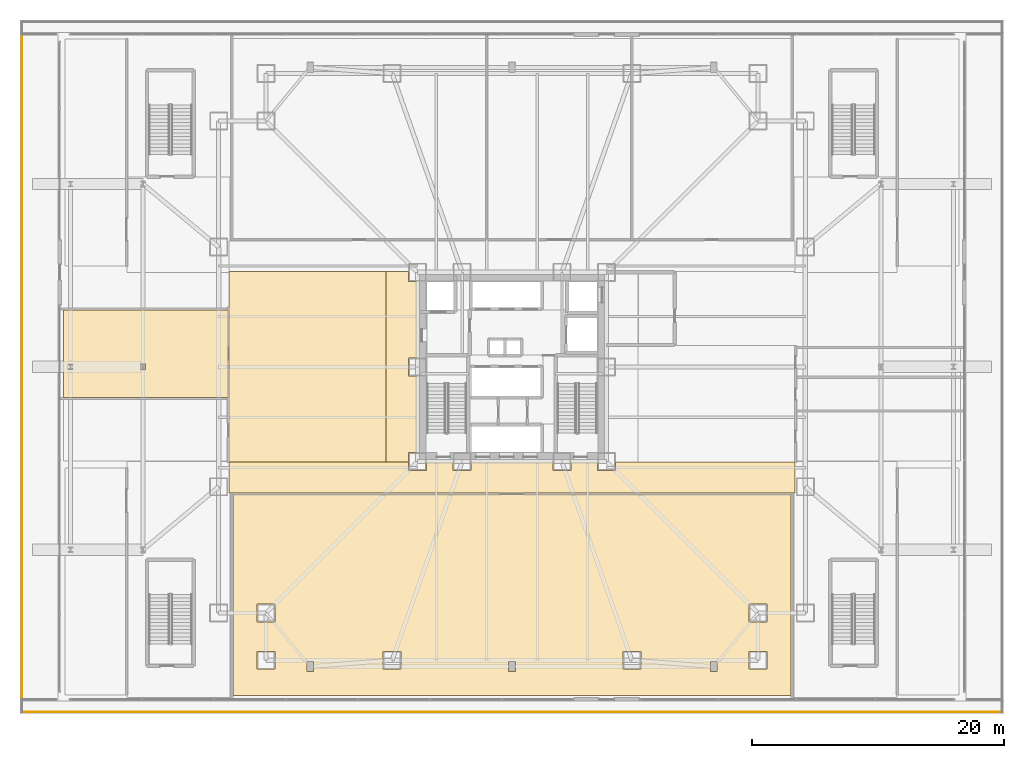
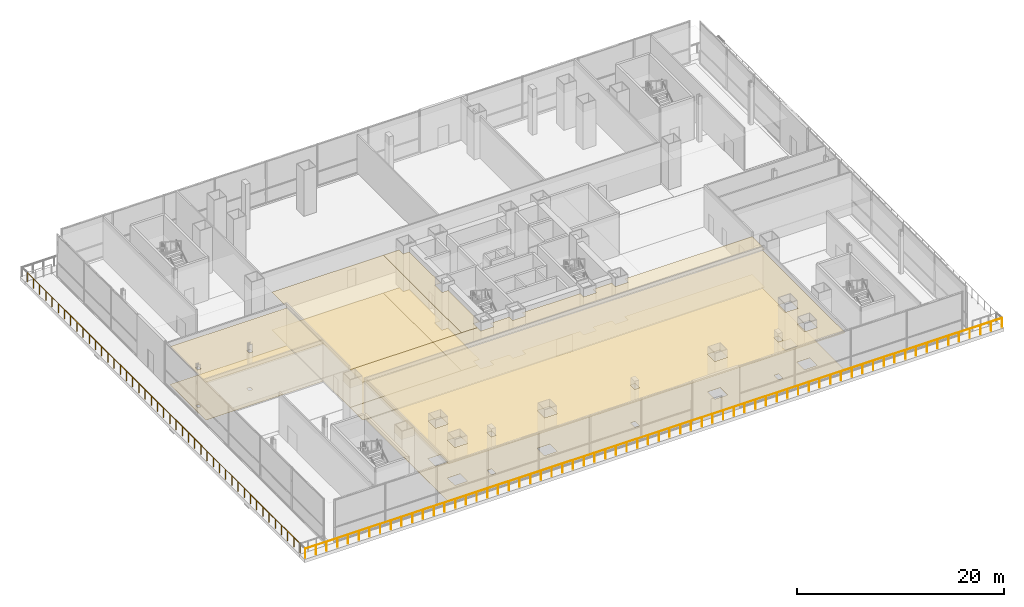
# One storey, part 27 of 35: 10 coverings, 2 railings.
"""IFC4 building model written with IfcOpenShell, lengths in metres."""

from ifc_helpers import new_model, si_unit, direction, frame, origin, origin_2d, place, context, subcontext, project, spatial, polyline, circle, outline, extrude, material, layer, layer_set, type_object, element, save


model = new_model("IFC4")

# Units and contexts
model_context = context("Model", 3, precision=1e-05, world=origin(), true_north=direction((0.0, 1.0)))
body_context = subcontext(model_context, "Body", "Model", "MODEL_VIEW")
ifc_project = project(units=[si_unit("LENGTHUNIT", "METRE"), si_unit("AREAUNIT", "SQUARE_METRE"), si_unit("VOLUMEUNIT", "CUBIC_METRE"), si_unit("PLANEANGLEUNIT", "RADIAN"), si_unit("MASSUNIT", "GRAM", prefix="KILO")], contexts=[model_context])

# Site, building, storey
site_placement = place(None, origin())
site = spatial("IfcSite", under=ifc_project, at=site_placement, CompositionType="ELEMENT")
building_placement = place(site_placement, origin())
building = spatial("IfcBuilding", under=site, at=building_placement, Name="Trevonay Congress Spire", CompositionType="ELEMENT")
storey_placement = place(building_placement, frame((0.0, 0.0, 10.800048828125)))
storey = spatial("IfcBuildingStorey", under=building, at=storey_placement, Name="L02", CompositionType="ELEMENT", Elevation=10.800048828125)

# Coverings
ifc_material_1 = material(Name="Acoustic Mineral Fibre Board", Category="gypsum")
ifc_layer_1 = layer(ifc_material_1, 0.02490234375, Name="Acoustic Mineral Fibre Board")
ifc_layer_set_1 = layer_set([ifc_layer_1], Name="Acoustic Mineral Fibre Board")
covering_type_1 = type_object("IfcCoveringType", Name="COV-CEIL-ACOUSTIC", PredefinedType="CEILING", material=ifc_layer_set_1)
covering_1_placement = place(storey_placement, frame((0.0, 0.0, 4.449951171875)))
element("IfcCovering", 1, at=covering_1_placement, inside=storey, type_object=covering_type_1, Name="L02 L02 Grand Concourse South acoustic suspended ceiling", PredefinedType="CEILING", context=body_context, shape_type="SweptSolid", body=[
    extrude(outline(polyline([(22.419921875, -7.550048828125), (22.419921875, -10.0), (-22.419921875, -10.0), (-22.419921875, -7.550048828125), (-8.2099609375, -7.550048828125), (-8.2099609375, -8.2099609375), (-6.7900390625, -8.2099609375), (-6.7900390625, -7.550048828125), (-4.659912109375, -7.550048828125), (-4.659912109375, -8.2099609375), (-3.239990234375, -8.2099609375), (-3.239990234375, -7.550048828125), (3.239990234375, -7.550048828125), (3.239990234375, -8.2099609375), (4.659912109375, -8.2099609375), (4.659912109375, -7.550048828125), (6.7900390625, -7.550048828125), (6.7900390625, -8.2099609375), (8.2099609375, -8.2099609375), (8.2099609375, -7.550048828125), (22.419921875, -7.550048828125)])), origin(), (0.0, 0.0, 1.0), 0.02490234375),
])
covering_2_placement = place(storey_placement, frame((0.0, 0.0, 4.449951171875)))
element("IfcCovering", 2, at=covering_2_placement, inside=storey, type_object=covering_type_1, Name="L02 L02 Grand Concourse West acoustic suspended ceiling", PredefinedType="CEILING", context=body_context, shape_type="SweptSolid", body=[
    extrude(outline(polyline([(-10.0, 7.550048828125), (-8.2099609375, 7.550048828125), (-8.2099609375, 6.7900390625), (-7.550048828125, 6.7900390625), (-7.550048828125, 0.7099609375), (-8.2099609375, 0.7099609375), (-8.2099609375, -0.7099609375), (-7.550048828125, -0.7099609375), (-7.550048828125, -6.7900390625), (-8.2099609375, -6.7900390625), (-8.2099609375, -7.550048828125), (-10.0, -7.550048828125), (-10.0, 7.550048828125)])), origin(), (0.0, 0.0, 1.0), 0.02490234375),
])
covering_3_placement = place(storey_placement, frame((0.0, 0.0, 4.449951171875)))
element("IfcCovering", 3, at=covering_3_placement, inside=storey, type_object=covering_type_1, Name="L02 L02 West Concourse Foyer acoustic suspended ceiling", PredefinedType="CEILING", context=body_context, shape_type="SweptSolid", body=[
    extrude(outline(polyline([(-22.419921875, -7.550048828125), (-22.419921875, 7.550048828125), (-10.0, 7.550048828125), (-10.0, -7.550048828125), (-22.419921875, -7.550048828125)])), origin(), (0.0, 0.0, 1.0), 0.02490234375),
])
covering_4_placement = place(storey_placement, frame((0.0, 0.0, 4.449951171875)))
element("IfcCovering", 4, at=covering_4_placement, inside=storey, type_object=covering_type_1, Name="L02 Exhibition Hall acoustic suspended ceiling", PredefinedType="CEILING", context=body_context, shape_type="SweptSolid", body=[
    extrude(outline(polyline([(-22.1201171875, -10.080078125), (22.1201171875, -10.080078125), (22.1201171875, -26.050048828125), (-22.1201171875, -26.050048828125), (-22.1201171875, -10.080078125)]), holes=[polyline([(-15.739990234375, -23.340087890625), (-16.260009765625, -23.340087890625), (-16.260009765625, -24.159912109375), (-15.739990234375, -24.159912109375), (-15.739990234375, -23.340087890625)]), polyline([(0.260009765625, -23.340087890625), (-0.260009765625, -23.340087890625), (-0.260009765625, -24.159912109375), (0.260009765625, -24.159912109375), (0.260009765625, -23.340087890625)]), polyline([(16.260009765625, -23.340087890625), (15.739990234375, -23.340087890625), (15.739990234375, -24.159912109375), (16.260009765625, -24.159912109375), (16.260009765625, -23.340087890625)]), polyline([(-18.7900390625, -22.5400390625), (-20.2099609375, -22.5400390625), (-20.2099609375, -23.9599609375), (-18.7900390625, -23.9599609375), (-18.7900390625, -22.5400390625)]), polyline([(-8.7900390625, -22.5400390625), (-10.2099609375, -22.5400390625), (-10.2099609375, -23.9599609375), (-8.7900390625, -23.9599609375), (-8.7900390625, -22.5400390625)]), polyline([(10.2099609375, -22.5400390625), (8.7900390625, -22.5400390625), (8.7900390625, -23.9599609375), (10.2099609375, -23.9599609375), (10.2099609375, -22.5400390625)]), polyline([(20.2099609375, -22.5400390625), (18.7900390625, -22.5400390625), (18.7900390625, -23.9599609375), (20.2099609375, -23.9599609375), (20.2099609375, -22.5400390625)]), polyline([(-18.7900390625, -20.2099609375), (-18.7900390625, -18.7900390625), (-20.2099609375, -18.7900390625), (-20.2099609375, -20.2099609375), (-18.7900390625, -20.2099609375)]), polyline([(20.2099609375, -20.2099609375), (20.2099609375, -18.7900390625), (18.7900390625, -18.7900390625), (18.7900390625, -20.2099609375), (20.2099609375, -20.2099609375)])]), origin(), (0.0, 0.0, 1.0), 0.02490234375),
])
covering_5_placement = place(storey_placement, frame((0.0, 0.0, 4.449951171875)))
element("IfcCovering", 5, at=covering_5_placement, inside=storey, type_object=covering_type_1, Name="L02 Symposium Seminar Room 2 acoustic suspended ceiling", PredefinedType="CEILING", context=body_context, shape_type="SweptSolid", body=[
    extrude(outline(polyline([(-35.550048828125, 4.52001953125), (-22.47998046875, 4.52001953125), (-22.47998046875, -2.419921875), (-35.550048828125, -2.419921875), (-35.550048828125, 4.52001953125)]), holes=[polyline([(-35.179931640625, -0.20654296875), (-34.820068359375, -0.20654296875), (-34.820068359375, 0.20654296875), (-35.179931640625, 0.20654296875), (-35.179931640625, -0.20654296875)]), polyline([(-29.444091796875, -0.222412109375), (-29.055908203125, -0.222412109375), (-29.055908203125, 0.222412109375), (-29.444091796875, 0.222412109375), (-29.444091796875, -0.222412109375)])]), origin(), (0.0, 0.0, 1.0), 0.02490234375),
])
ifc_material_2 = material(Name="Polished Granite Floor Tile", Category="masonry")
ifc_layer_2 = layer(ifc_material_2, 0.02001953125, Name="Polished Granite Floor Tile")
ifc_layer_set_2 = layer_set([ifc_layer_2], Name="Polished Granite Floor Tile")
covering_type_2 = type_object("IfcCoveringType", Name="COV-FLOOR-STONE", PredefinedType="FLOORING", material=ifc_layer_set_2)
covering_6_placement = place(storey_placement, origin())
element("IfcCovering", 6, at=covering_6_placement, inside=storey, type_object=covering_type_2, Name="L02 L02 Grand Concourse South floor finish", PredefinedType="FLOORING", context=body_context, shape_type="SweptSolid", body=[
    extrude(outline(polyline([(22.419921875, -7.550048828125), (22.419921875, -10.0), (-22.419921875, -10.0), (-22.419921875, -7.550048828125), (-8.2099609375, -7.550048828125), (-8.2099609375, -8.2099609375), (-6.7900390625, -8.2099609375), (-6.7900390625, -7.550048828125), (-4.659912109375, -7.550048828125), (-4.659912109375, -8.2099609375), (-3.239990234375, -8.2099609375), (-3.239990234375, -7.550048828125), (3.239990234375, -7.550048828125), (3.239990234375, -8.2099609375), (4.659912109375, -8.2099609375), (4.659912109375, -7.550048828125), (6.7900390625, -7.550048828125), (6.7900390625, -8.2099609375), (8.2099609375, -8.2099609375), (8.2099609375, -7.550048828125), (22.419921875, -7.550048828125)])), origin(), (0.0, 0.0, 1.0), 0.02001953125),
])
covering_7_placement = place(storey_placement, origin())
element("IfcCovering", 7, at=covering_7_placement, inside=storey, type_object=covering_type_2, Name="L02 L02 Grand Concourse West floor finish", PredefinedType="FLOORING", context=body_context, shape_type="SweptSolid", body=[
    extrude(outline(polyline([(-10.0, 7.550048828125), (-8.2099609375, 7.550048828125), (-8.2099609375, 6.7900390625), (-7.550048828125, 6.7900390625), (-7.550048828125, 0.7099609375), (-8.2099609375, 0.7099609375), (-8.2099609375, -0.7099609375), (-7.550048828125, -0.7099609375), (-7.550048828125, -6.7900390625), (-8.2099609375, -6.7900390625), (-8.2099609375, -7.550048828125), (-10.0, -7.550048828125), (-10.0, 7.550048828125)])), origin(), (0.0, 0.0, 1.0), 0.02001953125),
])
covering_8_placement = place(storey_placement, origin())
element("IfcCovering", 8, at=covering_8_placement, inside=storey, type_object=covering_type_2, Name="L02 L02 West Concourse Foyer floor finish", PredefinedType="FLOORING", context=body_context, shape_type="SweptSolid", body=[
    extrude(outline(polyline([(-22.419921875, -7.550048828125), (-22.419921875, 7.550048828125), (-10.0, 7.550048828125), (-10.0, -7.550048828125), (-22.419921875, -7.550048828125)])), origin(), (0.0, 0.0, 1.0), 0.02001953125),
])
covering_9_placement = place(storey_placement, origin())
element("IfcCovering", 9, at=covering_9_placement, inside=storey, type_object=covering_type_2, Name="L02 Exhibition Hall floor finish", PredefinedType="FLOORING", context=body_context, shape_type="SweptSolid", body=[
    extrude(outline(polyline([(-22.1201171875, -10.080078125), (22.1201171875, -10.080078125), (22.1201171875, -26.050048828125), (-22.1201171875, -26.050048828125), (-22.1201171875, -10.080078125)]), holes=[polyline([(-15.739990234375, -23.340087890625), (-16.260009765625, -23.340087890625), (-16.260009765625, -24.159912109375), (-15.739990234375, -24.159912109375), (-15.739990234375, -23.340087890625)]), polyline([(0.260009765625, -23.340087890625), (-0.260009765625, -23.340087890625), (-0.260009765625, -24.159912109375), (0.260009765625, -24.159912109375), (0.260009765625, -23.340087890625)]), polyline([(16.260009765625, -23.340087890625), (15.739990234375, -23.340087890625), (15.739990234375, -24.159912109375), (16.260009765625, -24.159912109375), (16.260009765625, -23.340087890625)]), polyline([(-18.7900390625, -22.5400390625), (-20.2099609375, -22.5400390625), (-20.2099609375, -23.9599609375), (-18.7900390625, -23.9599609375), (-18.7900390625, -22.5400390625)]), polyline([(-8.7900390625, -22.5400390625), (-10.2099609375, -22.5400390625), (-10.2099609375, -23.9599609375), (-8.7900390625, -23.9599609375), (-8.7900390625, -22.5400390625)]), polyline([(10.2099609375, -22.5400390625), (8.7900390625, -22.5400390625), (8.7900390625, -23.9599609375), (10.2099609375, -23.9599609375), (10.2099609375, -22.5400390625)]), polyline([(20.2099609375, -22.5400390625), (18.7900390625, -22.5400390625), (18.7900390625, -23.9599609375), (20.2099609375, -23.9599609375), (20.2099609375, -22.5400390625)]), polyline([(-18.7900390625, -20.2099609375), (-18.7900390625, -18.7900390625), (-20.2099609375, -18.7900390625), (-20.2099609375, -20.2099609375), (-18.7900390625, -20.2099609375)]), polyline([(20.2099609375, -20.2099609375), (20.2099609375, -18.7900390625), (18.7900390625, -18.7900390625), (18.7900390625, -20.2099609375), (20.2099609375, -20.2099609375)])]), origin(), (0.0, 0.0, 1.0), 0.02001953125),
])
ifc_material_3 = material(Name="Engineered Oak Flooring", Category="wood")
ifc_layer_3 = layer(ifc_material_3, 0.01806640625, Name="Engineered Oak Flooring")
ifc_layer_set_3 = layer_set([ifc_layer_3], Name="Engineered Oak Flooring")
covering_type_3 = type_object("IfcCoveringType", Name="COV-FLOOR-TIMBER", PredefinedType="FLOORING", material=ifc_layer_set_3)
covering_10_placement = place(storey_placement, origin())
element("IfcCovering", 10, at=covering_10_placement, inside=storey, type_object=covering_type_3, Name="L02 Symposium Seminar Room 2 floor finish", PredefinedType="FLOORING", context=body_context, shape_type="SweptSolid", body=[
    extrude(outline(polyline([(-35.550048828125, 4.52001953125), (-22.47998046875, 4.52001953125), (-22.47998046875, -2.419921875), (-35.550048828125, -2.419921875), (-35.550048828125, 4.52001953125)]), holes=[polyline([(-35.179931640625, -0.20654296875), (-34.820068359375, -0.20654296875), (-34.820068359375, 0.20654296875), (-35.179931640625, 0.20654296875), (-35.179931640625, -0.20654296875)]), polyline([(-29.444091796875, -0.222412109375), (-29.055908203125, -0.222412109375), (-29.055908203125, 0.222412109375), (-29.444091796875, 0.222412109375), (-29.444091796875, -0.222412109375)])]), origin(), (0.0, 0.0, 1.0), 0.01806640625),
])

# Railings
ifc_material_4 = material(Name="Pale Anodised Aluminium EN AW-6063-T6", Category="aluminium")
railing_type = type_object("IfcRailingType", Name="RAL-EXT-GUARD-115", PredefinedType="GUARDRAIL", material=ifc_material_4)
railing_1_placement = place(storey_placement, frame((-38.85009765625, 26.35009765625, 0.0)))
element("IfcRailing", 11, at=railing_1_placement, inside=storey, type_object=railing_type, Name="L02 perimeter safety guard GRD-L02-TER-W-4", PredefinedType="GUARDRAIL", context=body_context, shape_type="SweptSolid", body=[
    extrude(circle(Radius=0.02392578125, at=origin_2d()), frame((0.0, 0.0, 1.1259765625), z_axis=(0.0, -1.0, 0.0), x_axis=(1.0, 0.0, 0.0)), (0.0, 0.0, 1.0), 52.7001953125),
    extrude(circle(Radius=0.02099609375, at=origin_2d()), origin(), (0.0, 0.0, 1.0), 1.101806640625),
    extrude(circle(Radius=0.02099609375, at=origin_2d()), frame((0.0, -1.19775390625, 0.0)), (0.0, 0.0, 1.0), 1.101806640625),
    extrude(circle(Radius=0.02099609375, at=origin_2d()), frame((0.0, -2.3955078125, 0.0)), (0.0, 0.0, 1.0), 1.101806640625),
    extrude(circle(Radius=0.02099609375, at=origin_2d()), frame((0.0, -3.59326171875, 0.0)), (0.0, 0.0, 1.0), 1.101806640625),
    extrude(circle(Radius=0.02099609375, at=origin_2d()), frame((0.0, -4.791015625, 0.0)), (0.0, 0.0, 1.0), 1.101806640625),
    extrude(circle(Radius=0.02099609375, at=origin_2d()), frame((0.0, -5.98876953125, 0.0)), (0.0, 0.0, 1.0), 1.101806640625),
    extrude(circle(Radius=0.02099609375, at=origin_2d()), frame((0.0, -7.186279296875, 0.0)), (0.0, 0.0, 1.0), 1.101806640625),
    extrude(circle(Radius=0.02099609375, at=origin_2d()), frame((0.0, -8.384033203125, 0.0)), (0.0, 0.0, 1.0), 1.101806640625),
    extrude(circle(Radius=0.02099609375, at=origin_2d()), frame((0.0, -9.581787109375, 0.0)), (0.0, 0.0, 1.0), 1.101806640625),
    extrude(circle(Radius=0.02099609375, at=origin_2d()), frame((0.0, -10.779541015625, 0.0)), (0.0, 0.0, 1.0), 1.101806640625),
    extrude(circle(Radius=0.02099609375, at=origin_2d()), frame((0.0, -11.977294921875, 0.0)), (0.0, 0.0, 1.0), 1.101806640625),
    extrude(circle(Radius=0.02099609375, at=origin_2d()), frame((0.0, -13.175048828125, 0.0)), (0.0, 0.0, 1.0), 1.101806640625),
    extrude(circle(Radius=0.02099609375, at=origin_2d()), frame((0.0, -14.372802734375, 0.0)), (0.0, 0.0, 1.0), 1.101806640625),
    extrude(circle(Radius=0.02099609375, at=origin_2d()), frame((0.0, -15.570556640625, 0.0)), (0.0, 0.0, 1.0), 1.101806640625),
    extrude(circle(Radius=0.02099609375, at=origin_2d()), frame((0.0, -16.768310546875, 0.0)), (0.0, 0.0, 1.0), 1.101806640625),
    extrude(circle(Radius=0.02099609375, at=origin_2d()), frame((0.0, -17.966064453125, 0.0)), (0.0, 0.0, 1.0), 1.101806640625),
    extrude(circle(Radius=0.02099609375, at=origin_2d()), frame((0.0, -19.163818359375, 0.0)), (0.0, 0.0, 1.0), 1.101806640625),
    extrude(circle(Radius=0.02099609375, at=origin_2d()), frame((0.0, -20.361328125, 0.0)), (0.0, 0.0, 1.0), 1.101806640625),
    extrude(circle(Radius=0.02099609375, at=origin_2d()), frame((0.0, -21.55908203125, 0.0)), (0.0, 0.0, 1.0), 1.101806640625),
    extrude(circle(Radius=0.02099609375, at=origin_2d()), frame((0.0, -22.7568359375, 0.0)), (0.0, 0.0, 1.0), 1.101806640625),
    extrude(circle(Radius=0.02099609375, at=origin_2d()), frame((0.0, -23.95458984375, 0.0)), (0.0, 0.0, 1.0), 1.101806640625),
    extrude(circle(Radius=0.02099609375, at=origin_2d()), frame((0.0, -25.15234375, 0.0)), (0.0, 0.0, 1.0), 1.101806640625),
    extrude(circle(Radius=0.02099609375, at=origin_2d()), frame((0.0, -26.35009765625, 0.0)), (0.0, 0.0, 1.0), 1.101806640625),
    extrude(circle(Radius=0.02099609375, at=origin_2d()), frame((0.0, -27.5478515625, 0.0)), (0.0, 0.0, 1.0), 1.101806640625),
    extrude(circle(Radius=0.02099609375, at=origin_2d()), frame((0.0, -28.74560546875, 0.0)), (0.0, 0.0, 1.0), 1.101806640625),
    extrude(circle(Radius=0.02099609375, at=origin_2d()), frame((0.0, -29.943359375, 0.0)), (0.0, 0.0, 1.0), 1.101806640625),
    extrude(circle(Radius=0.02099609375, at=origin_2d()), frame((0.0, -31.14111328125, 0.0)), (0.0, 0.0, 1.0), 1.101806640625),
    extrude(circle(Radius=0.02099609375, at=origin_2d()), frame((0.0, -32.3388671875, 0.0)), (0.0, 0.0, 1.0), 1.101806640625),
    extrude(circle(Radius=0.02099609375, at=origin_2d()), frame((0.0, -33.536376953125, 0.0)), (0.0, 0.0, 1.0), 1.101806640625),
    extrude(circle(Radius=0.02099609375, at=origin_2d()), frame((0.0, -34.734130859375, 0.0)), (0.0, 0.0, 1.0), 1.101806640625),
    extrude(circle(Radius=0.02099609375, at=origin_2d()), frame((0.0, -35.931884765625, 0.0)), (0.0, 0.0, 1.0), 1.101806640625),
    extrude(circle(Radius=0.02099609375, at=origin_2d()), frame((0.0, -37.129638671875, 0.0)), (0.0, 0.0, 1.0), 1.101806640625),
    extrude(circle(Radius=0.02099609375, at=origin_2d()), frame((0.0, -38.327392578125, 0.0)), (0.0, 0.0, 1.0), 1.101806640625),
    extrude(circle(Radius=0.02099609375, at=origin_2d()), frame((0.0, -39.525146484375, 0.0)), (0.0, 0.0, 1.0), 1.101806640625),
    extrude(circle(Radius=0.02099609375, at=origin_2d()), frame((0.0, -40.722900390625, 0.0)), (0.0, 0.0, 1.0), 1.101806640625),
    extrude(circle(Radius=0.02099609375, at=origin_2d()), frame((0.0, -41.920654296875, 0.0)), (0.0, 0.0, 1.0), 1.101806640625),
    extrude(circle(Radius=0.02099609375, at=origin_2d()), frame((0.0, -43.118408203125, 0.0)), (0.0, 0.0, 1.0), 1.101806640625),
    extrude(circle(Radius=0.02099609375, at=origin_2d()), frame((0.0, -44.316162109375, 0.0)), (0.0, 0.0, 1.0), 1.101806640625),
    extrude(circle(Radius=0.02099609375, at=origin_2d()), frame((0.0, -45.513916015625, 0.0)), (0.0, 0.0, 1.0), 1.101806640625),
    extrude(circle(Radius=0.02099609375, at=origin_2d()), frame((0.0, -46.71142578125, 0.0)), (0.0, 0.0, 1.0), 1.101806640625),
    extrude(circle(Radius=0.02099609375, at=origin_2d()), frame((0.0, -47.9091796875, 0.0)), (0.0, 0.0, 1.0), 1.101806640625),
    extrude(circle(Radius=0.02099609375, at=origin_2d()), frame((0.0, -49.10693359375, 0.0)), (0.0, 0.0, 1.0), 1.101806640625),
    extrude(circle(Radius=0.02099609375, at=origin_2d()), frame((0.0, -50.3046875, 0.0)), (0.0, 0.0, 1.0), 1.101806640625),
    extrude(circle(Radius=0.02099609375, at=origin_2d()), frame((0.0, -51.50244140625, 0.0)), (0.0, 0.0, 1.0), 1.101806640625),
    extrude(circle(Radius=0.02099609375, at=origin_2d()), frame((0.0, -52.7001953125, 0.0)), (0.0, 0.0, 1.0), 1.101806640625),
])
railing_2_placement = place(storey_placement, frame((-38.85009765625, -27.35009765625, 0.0)))
element("IfcRailing", 12, at=railing_2_placement, inside=storey, type_object=railing_type, Name="L02 perimeter safety guard GRD-L02-TER-S-2", PredefinedType="GUARDRAIL", context=body_context, shape_type="SweptSolid", body=[
    extrude(circle(Radius=0.02392578125, at=origin_2d()), frame((0.0, 0.0, 1.1259765625), z_axis=(1.0, 0.0, 0.0), x_axis=(0.0, 1.0, 0.0)), (0.0, 0.0, 1.0), 77.7001953125),
    extrude(circle(Radius=0.02099609375, at=origin_2d()), origin(), (0.0, 0.0, 1.0), 1.101806640625),
    extrude(circle(Radius=0.02099609375, at=origin_2d()), frame((1.1953125, 0.0, 0.0)), (0.0, 0.0, 1.0), 1.101806640625),
    extrude(circle(Radius=0.02099609375, at=origin_2d()), frame((2.390869140625, 0.0, 0.0)), (0.0, 0.0, 1.0), 1.101806640625),
    extrude(circle(Radius=0.02099609375, at=origin_2d()), frame((3.586181640625, 0.0, 0.0)), (0.0, 0.0, 1.0), 1.101806640625),
    extrude(circle(Radius=0.02099609375, at=origin_2d()), frame((4.781494140625, 0.0, 0.0)), (0.0, 0.0, 1.0), 1.101806640625),
    extrude(circle(Radius=0.02099609375, at=origin_2d()), frame((5.97705078125, 0.0, 0.0)), (0.0, 0.0, 1.0), 1.101806640625),
    extrude(circle(Radius=0.02099609375, at=origin_2d()), frame((7.17236328125, 0.0, 0.0)), (0.0, 0.0, 1.0), 1.101806640625),
    extrude(circle(Radius=0.02099609375, at=origin_2d()), frame((8.36767578125, 0.0, 0.0)), (0.0, 0.0, 1.0), 1.101806640625),
    extrude(circle(Radius=0.02099609375, at=origin_2d()), frame((9.56298828125, 0.0, 0.0)), (0.0, 0.0, 1.0), 1.101806640625),
    extrude(circle(Radius=0.02099609375, at=origin_2d()), frame((10.758544921875, 0.0, 0.0)), (0.0, 0.0, 1.0), 1.101806640625),
    extrude(circle(Radius=0.02099609375, at=origin_2d()), frame((11.953857421875, 0.0, 0.0)), (0.0, 0.0, 1.0), 1.101806640625),
    extrude(circle(Radius=0.02099609375, at=origin_2d()), frame((13.149169921875, 0.0, 0.0)), (0.0, 0.0, 1.0), 1.101806640625),
    extrude(circle(Radius=0.02099609375, at=origin_2d()), frame((14.3447265625, 0.0, 0.0)), (0.0, 0.0, 1.0), 1.101806640625),
    extrude(circle(Radius=0.02099609375, at=origin_2d()), frame((15.5400390625, 0.0, 0.0)), (0.0, 0.0, 1.0), 1.101806640625),
    extrude(circle(Radius=0.02099609375, at=origin_2d()), frame((16.7353515625, 0.0, 0.0)), (0.0, 0.0, 1.0), 1.101806640625),
    extrude(circle(Radius=0.02099609375, at=origin_2d()), frame((17.930908203125, 0.0, 0.0)), (0.0, 0.0, 1.0), 1.101806640625),
    extrude(circle(Radius=0.02099609375, at=origin_2d()), frame((19.126220703125, 0.0, 0.0)), (0.0, 0.0, 1.0), 1.101806640625),
    extrude(circle(Radius=0.02099609375, at=origin_2d()), frame((20.321533203125, 0.0, 0.0)), (0.0, 0.0, 1.0), 1.101806640625),
    extrude(circle(Radius=0.02099609375, at=origin_2d()), frame((21.51708984375, 0.0, 0.0)), (0.0, 0.0, 1.0), 1.101806640625),
    extrude(circle(Radius=0.02099609375, at=origin_2d()), frame((22.71240234375, 0.0, 0.0)), (0.0, 0.0, 1.0), 1.101806640625),
    extrude(circle(Radius=0.02099609375, at=origin_2d()), frame((23.90771484375, 0.0, 0.0)), (0.0, 0.0, 1.0), 1.101806640625),
    extrude(circle(Radius=0.02099609375, at=origin_2d()), frame((25.10302734375, 0.0, 0.0)), (0.0, 0.0, 1.0), 1.101806640625),
    extrude(circle(Radius=0.02099609375, at=origin_2d()), frame((26.298583984375, 0.0, 0.0)), (0.0, 0.0, 1.0), 1.101806640625),
    extrude(circle(Radius=0.02099609375, at=origin_2d()), frame((27.493896484375, 0.0, 0.0)), (0.0, 0.0, 1.0), 1.101806640625),
    extrude(circle(Radius=0.02099609375, at=origin_2d()), frame((28.689208984375, 0.0, 0.0)), (0.0, 0.0, 1.0), 1.101806640625),
    extrude(circle(Radius=0.02099609375, at=origin_2d()), frame((29.884765625, 0.0, 0.0)), (0.0, 0.0, 1.0), 1.101806640625),
    extrude(circle(Radius=0.02099609375, at=origin_2d()), frame((31.080078125, 0.0, 0.0)), (0.0, 0.0, 1.0), 1.101806640625),
    extrude(circle(Radius=0.02099609375, at=origin_2d()), frame((32.275390625, 0.0, 0.0)), (0.0, 0.0, 1.0), 1.101806640625),
    extrude(circle(Radius=0.02099609375, at=origin_2d()), frame((33.470947265625, 0.0, 0.0)), (0.0, 0.0, 1.0), 1.101806640625),
    extrude(circle(Radius=0.02099609375, at=origin_2d()), frame((34.666259765625, 0.0, 0.0)), (0.0, 0.0, 1.0), 1.101806640625),
    extrude(circle(Radius=0.02099609375, at=origin_2d()), frame((35.861572265625, 0.0, 0.0)), (0.0, 0.0, 1.0), 1.101806640625),
    extrude(circle(Radius=0.02099609375, at=origin_2d()), frame((37.05712890625, 0.0, 0.0)), (0.0, 0.0, 1.0), 1.101806640625),
    extrude(circle(Radius=0.02099609375, at=origin_2d()), frame((38.25244140625, 0.0, 0.0)), (0.0, 0.0, 1.0), 1.101806640625),
    extrude(circle(Radius=0.02099609375, at=origin_2d()), frame((39.44775390625, 0.0, 0.0)), (0.0, 0.0, 1.0), 1.101806640625),
    extrude(circle(Radius=0.02099609375, at=origin_2d()), frame((40.64306640625, 0.0, 0.0)), (0.0, 0.0, 1.0), 1.101806640625),
    extrude(circle(Radius=0.02099609375, at=origin_2d()), frame((41.838623046875, 0.0, 0.0)), (0.0, 0.0, 1.0), 1.101806640625),
    extrude(circle(Radius=0.02099609375, at=origin_2d()), frame((43.033935546875, 0.0, 0.0)), (0.0, 0.0, 1.0), 1.101806640625),
    extrude(circle(Radius=0.02099609375, at=origin_2d()), frame((44.229248046875, 0.0, 0.0)), (0.0, 0.0, 1.0), 1.101806640625),
    extrude(circle(Radius=0.02099609375, at=origin_2d()), frame((45.4248046875, 0.0, 0.0)), (0.0, 0.0, 1.0), 1.101806640625),
    extrude(circle(Radius=0.02099609375, at=origin_2d()), frame((46.6201171875, 0.0, 0.0)), (0.0, 0.0, 1.0), 1.101806640625),
    extrude(circle(Radius=0.02099609375, at=origin_2d()), frame((47.8154296875, 0.0, 0.0)), (0.0, 0.0, 1.0), 1.101806640625),
    extrude(circle(Radius=0.02099609375, at=origin_2d()), frame((49.010986328125, 0.0, 0.0)), (0.0, 0.0, 1.0), 1.101806640625),
    extrude(circle(Radius=0.02099609375, at=origin_2d()), frame((50.206298828125, 0.0, 0.0)), (0.0, 0.0, 1.0), 1.101806640625),
    extrude(circle(Radius=0.02099609375, at=origin_2d()), frame((51.401611328125, 0.0, 0.0)), (0.0, 0.0, 1.0), 1.101806640625),
    extrude(circle(Radius=0.02099609375, at=origin_2d()), frame((52.59716796875, 0.0, 0.0)), (0.0, 0.0, 1.0), 1.101806640625),
    extrude(circle(Radius=0.02099609375, at=origin_2d()), frame((53.79248046875, 0.0, 0.0)), (0.0, 0.0, 1.0), 1.101806640625),
    extrude(circle(Radius=0.02099609375, at=origin_2d()), frame((54.98779296875, 0.0, 0.0)), (0.0, 0.0, 1.0), 1.101806640625),
    extrude(circle(Radius=0.02099609375, at=origin_2d()), frame((56.18310546875, 0.0, 0.0)), (0.0, 0.0, 1.0), 1.101806640625),
    extrude(circle(Radius=0.02099609375, at=origin_2d()), frame((57.378662109375, 0.0, 0.0)), (0.0, 0.0, 1.0), 1.101806640625),
    extrude(circle(Radius=0.02099609375, at=origin_2d()), frame((58.573974609375, 0.0, 0.0)), (0.0, 0.0, 1.0), 1.101806640625),
    extrude(circle(Radius=0.02099609375, at=origin_2d()), frame((59.769287109375, 0.0, 0.0)), (0.0, 0.0, 1.0), 1.101806640625),
    extrude(circle(Radius=0.02099609375, at=origin_2d()), frame((60.96484375, 0.0, 0.0)), (0.0, 0.0, 1.0), 1.101806640625),
    extrude(circle(Radius=0.02099609375, at=origin_2d()), frame((62.16015625, 0.0, 0.0)), (0.0, 0.0, 1.0), 1.101806640625),
    extrude(circle(Radius=0.02099609375, at=origin_2d()), frame((63.35546875, 0.0, 0.0)), (0.0, 0.0, 1.0), 1.101806640625),
    extrude(circle(Radius=0.02099609375, at=origin_2d()), frame((64.551025390625, 0.0, 0.0)), (0.0, 0.0, 1.0), 1.101806640625),
    extrude(circle(Radius=0.02099609375, at=origin_2d()), frame((65.746337890625, 0.0, 0.0)), (0.0, 0.0, 1.0), 1.101806640625),
    extrude(circle(Radius=0.02099609375, at=origin_2d()), frame((66.941650390625, 0.0, 0.0)), (0.0, 0.0, 1.0), 1.101806640625),
    extrude(circle(Radius=0.02099609375, at=origin_2d()), frame((68.13720703125, 0.0, 0.0)), (0.0, 0.0, 1.0), 1.101806640625),
    extrude(circle(Radius=0.02099609375, at=origin_2d()), frame((69.33251953125, 0.0, 0.0)), (0.0, 0.0, 1.0), 1.101806640625),
    extrude(circle(Radius=0.02099609375, at=origin_2d()), frame((70.52783203125, 0.0, 0.0)), (0.0, 0.0, 1.0), 1.101806640625),
    extrude(circle(Radius=0.02099609375, at=origin_2d()), frame((71.72314453125, 0.0, 0.0)), (0.0, 0.0, 1.0), 1.101806640625),
    extrude(circle(Radius=0.02099609375, at=origin_2d()), frame((72.918701171875, 0.0, 0.0)), (0.0, 0.0, 1.0), 1.101806640625),
    extrude(circle(Radius=0.02099609375, at=origin_2d()), frame((74.114013671875, 0.0, 0.0)), (0.0, 0.0, 1.0), 1.101806640625),
    extrude(circle(Radius=0.02099609375, at=origin_2d()), frame((75.309326171875, 0.0, 0.0)), (0.0, 0.0, 1.0), 1.101806640625),
    extrude(circle(Radius=0.02099609375, at=origin_2d()), frame((76.5048828125, 0.0, 0.0)), (0.0, 0.0, 1.0), 1.101806640625),
    extrude(circle(Radius=0.02099609375, at=origin_2d()), frame((77.7001953125, 0.0, 0.0)), (0.0, 0.0, 1.0), 1.101806640625),
])

save(model, "model.ifc")
